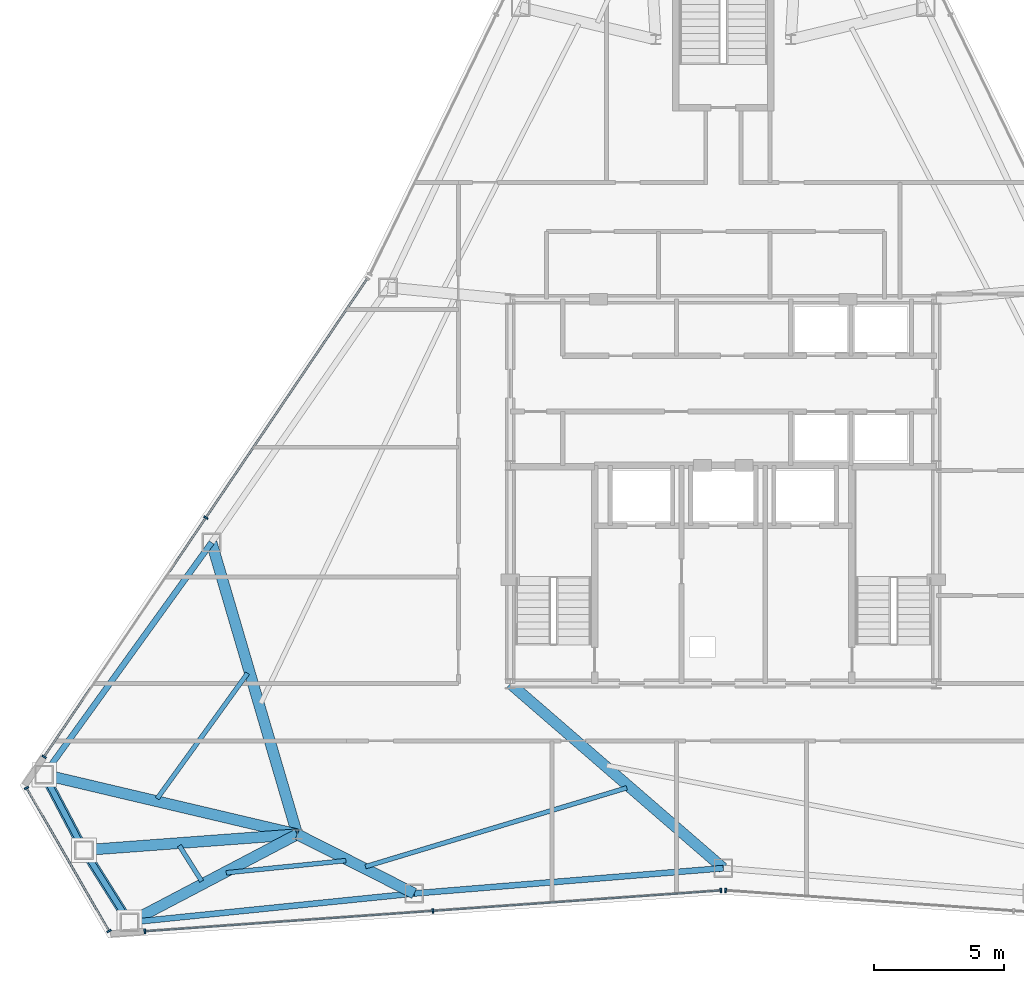
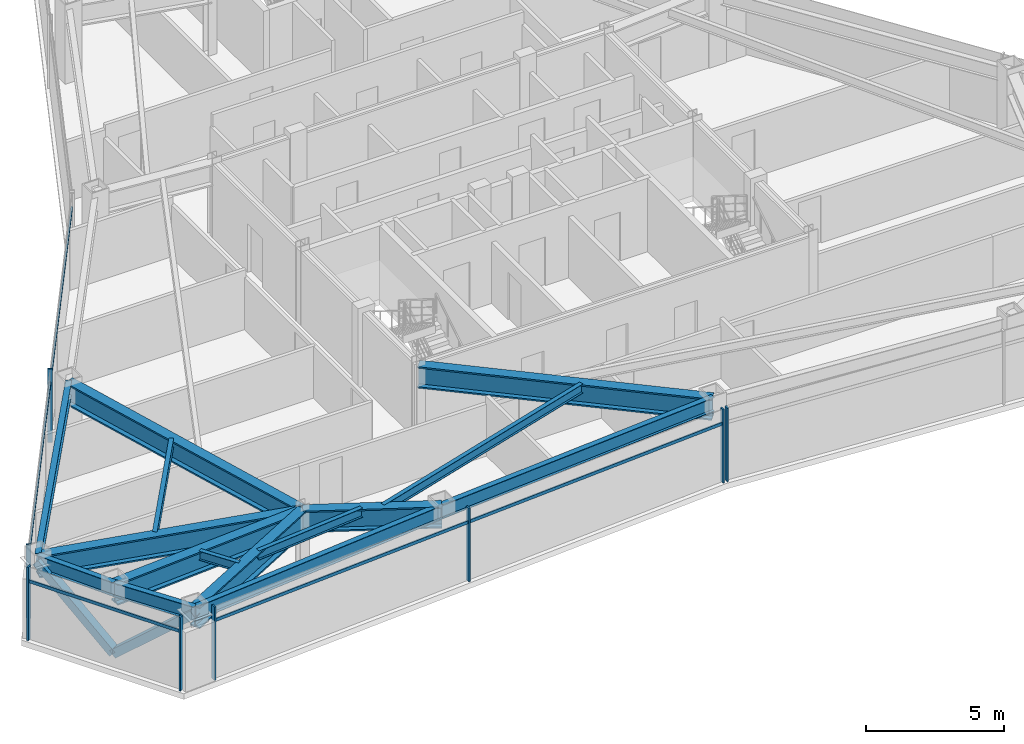
# One storey, part 3 of 12: 15 beams, 13 members, 4 elements without a shape of their own.
"""IFC4 building model written with IfcOpenShell, lengths in metres."""

from ifc_helpers import new_model, si_unit, direction, frame, origin, origin_2d, place, context, subcontext, project, spatial, rectangle, hollow_rectangle, i_section, extrude, source, transform, mapped, material, layer, layer_set, material_profile, profile_set, type_object, type_shapes, element, aggregate, save


model = new_model("IFC4")

# Units and contexts
model_context = context("Model", 3, precision=1e-05, world=origin(), true_north=direction((0.0, 1.0)))
body_context = subcontext(model_context, "Body", "Model", "MODEL_VIEW")
ifc_project = project(units=[si_unit("LENGTHUNIT", "METRE"), si_unit("AREAUNIT", "SQUARE_METRE"), si_unit("VOLUMEUNIT", "CUBIC_METRE"), si_unit("PLANEANGLEUNIT", "RADIAN"), si_unit("MASSUNIT", "GRAM", prefix="KILO")], contexts=[model_context])

# Site, building, storey
site_placement = place(None, origin())
site = spatial("IfcSite", under=ifc_project, at=site_placement, CompositionType="ELEMENT")
building_placement = place(site_placement, origin())
building = spatial("IfcBuilding", under=site, at=building_placement, Name="Varakhsha Concourse Tower", CompositionType="ELEMENT")
storey_placement = place(building_placement, frame((0.0, 0.0, 208.39990234375)))
storey = spatial("IfcBuildingStorey", under=building, at=storey_placement, Name="L59", CompositionType="ELEMENT", Elevation=208.39990234375)

# Beams
ifc_material_1 = material(Name="Structural Steel ASTM A992 Grade 50", Category="steel")
ifc_material_profile_1 = material_profile(ifc_material_1, i_section(OverallWidth=0.177978515625, OverallDepth=0.406982421875, WebThickness=0.008056640625, FlangeThickness=0.012939453125, at=origin_2d()), Name="W16X40")
ifc_profile_set_1 = profile_set([ifc_material_profile_1], Name="Structural Steel ASTM A992 Grade 50")
beam_type_1 = type_object("IfcBeamType", Name="BM-JST-W16X40", PredefinedType="JOIST", material=ifc_profile_set_1)
beam_1_placement = place(storey_placement, frame((21.6884765625, 16.8017578125, 3.046630859375), z_axis=(-0.584927141354, -0.811085839666, 0.0), x_axis=(0.811085839666, -0.584927141354, 0.0)))
element("IfcBeam", 1, at=beam_1_placement, inside=storey, type_object=beam_type_1, Name="BM-TJST-L59-06", PredefinedType="JOIST", context=body_context, shape_type="SweptSolid", body=[
    extrude(i_section(OverallWidth=0.177978515625, OverallDepth=0.406982421875, WebThickness=0.008056640625, FlangeThickness=0.012939453125, at=origin_2d()), origin(), (0.0, 0.0, 1.0), 5.9501953125),
])
beam_2_placement = place(storey_placement, frame((19.060791015625, 10.166015625, 3.046630859375), z_axis=(0.532597407227, -0.84636871505, 0.0), x_axis=(0.84636871505, 0.532597407227, 0.0)))
element("IfcBeam", 2, at=beam_2_placement, inside=storey, type_object=beam_type_1, Name="BM-TJST-L59-08", PredefinedType="JOIST", context=body_context, shape_type="SweptSolid", body=[
    extrude(i_section(OverallWidth=0.177978515625, OverallDepth=0.406982421875, WebThickness=0.008056640625, FlangeThickness=0.012939453125, at=origin_2d()), origin(), (0.0, 0.0, 1.0), 1.619873046875),
])
beam_3_placement = place(storey_placement, frame((20.866943359375, 9.11962890625, 3.046630859375), z_axis=(0.994878732251, 0.101075754334, 0.0), x_axis=(-0.101075754334, 0.994878732251, 0.0)))
element("IfcBeam", 3, at=beam_3_placement, inside=storey, type_object=beam_type_1, Name="BM-TJST-L59-09", PredefinedType="JOIST", context=body_context, shape_type="SweptSolid", body=[
    extrude(i_section(OverallWidth=0.177978515625, OverallDepth=0.406982421875, WebThickness=0.008056640625, FlangeThickness=0.012939453125, at=origin_2d()), origin(), (0.0, 0.0, 1.0), 4.6279296875),
])
beam_4_placement = place(storey_placement, frame((26.226318359375, 9.35693359375, 3.046630859375), z_axis=(0.9574166911, 0.288709680482, 0.0), x_axis=(-0.288709680482, 0.9574166911, 0.0)))
element("IfcBeam", 4, at=beam_4_placement, inside=storey, type_object=beam_type_1, Name="BM-TJST-L59-10", PredefinedType="JOIST", context=body_context, shape_type="SweptSolid", body=[
    extrude(i_section(OverallWidth=0.177978515625, OverallDepth=0.406982421875, WebThickness=0.008056640625, FlangeThickness=0.012939453125, at=origin_2d()), origin(), (0.0, 0.0, 1.0), 10.5078125),
])
ifc_material_profile_2 = material_profile(ifc_material_1, i_section(OverallWidth=0.423095703125, OverallDepth=0.947998046875, WebThickness=0.0380859375, FlangeThickness=0.06396484375, at=origin_2d()), Name="W36X302")
ifc_profile_set_2 = profile_set([ifc_material_profile_2], Name="Structural Steel ASTM A992 Grade 50")
beam_type_2 = type_object("IfcBeamType", Name="BM-OUTR-W36X302", PredefinedType="USERDEFINED", material=ifc_profile_set_2)
beam_5_placement = place(storey_placement, frame((23.60009765625, 10.60009765625, 2.776123046875), z_axis=(-0.281739548175, 0.959490920746, 0.0), x_axis=(-0.959490920746, -0.281739548175, 0.0)))
element("IfcBeam", 5, at=beam_5_placement, inside=storey, type_object=beam_type_2, Name="L59 Radial Floor Girder 06", ObjectType="GIRDER", PredefinedType="USERDEFINED", context=body_context, shape_type="SweptSolid", body=[
    extrude(i_section(OverallWidth=0.423095703125, OverallDepth=0.947998046875, WebThickness=0.0380859375, FlangeThickness=0.06396484375, at=origin_2d()), origin(), (0.0, 0.0, 1.0), 11.7080078125),
])
beam_6_placement = place(storey_placement, frame((23.60009765625, 10.60009765625, 2.776123046875), z_axis=(-0.973318249516, 0.229459332257, 0.0), x_axis=(-0.229459332257, -0.973318249516, 0.0)))
element("IfcBeam", 6, at=beam_6_placement, inside=storey, type_object=beam_type_2, Name="L59 Radial Floor Girder 07", ObjectType="GIRDER", PredefinedType="USERDEFINED", context=body_context, shape_type="SweptSolid", body=[
    extrude(i_section(OverallWidth=0.423095703125, OverallDepth=0.947998046875, WebThickness=0.0380859375, FlangeThickness=0.06396484375, at=origin_2d()), origin(), (0.0, 0.0, 1.0), 10.010986328125),
])
beam_7_placement = place(storey_placement, frame((23.60009765625, 10.60009765625, 2.776123046875), z_axis=(-0.997261601939, -0.073954697607, 0.0), x_axis=(0.073954697607, -0.997261601939, 0.0)))
element("IfcBeam", 7, at=beam_7_placement, inside=storey, type_object=beam_type_2, Name="L59 Radial Floor Girder 08", ObjectType="GIRDER", PredefinedType="USERDEFINED", context=body_context, shape_type="SweptSolid", body=[
    extrude(i_section(OverallWidth=0.423095703125, OverallDepth=0.947998046875, WebThickness=0.0380859375, FlangeThickness=0.06396484375, at=origin_2d()), origin(), (0.0, 0.0, 1.0), 8.233154296875),
])
beam_8_placement = place(storey_placement, frame((23.60009765625, 10.60009765625, 2.776123046875), z_axis=(-0.885501860742, -0.464635830111, 0.0), x_axis=(0.464635830111, -0.885501860742, 0.0)))
element("IfcBeam", 8, at=beam_8_placement, inside=storey, type_object=beam_type_2, Name="L59 Radial Floor Girder 09", ObjectType="GIRDER", PredefinedType="USERDEFINED", context=body_context, shape_type="SweptSolid", body=[
    extrude(i_section(OverallWidth=0.423095703125, OverallDepth=0.947998046875, WebThickness=0.0380859375, FlangeThickness=0.06396484375, at=origin_2d()), origin(), (0.0, 0.0, 1.0), 7.2958984375),
])
beam_9_placement = place(storey_placement, frame((23.60009765625, 10.60009765625, 2.776123046875), z_axis=(0.892365691824, -0.451313053274, 0.0), x_axis=(0.451313053274, 0.892365691824, 0.0)))
element("IfcBeam", 9, at=beam_9_placement, inside=storey, type_object=beam_type_2, Name="L59 Radial Floor Girder 10", ObjectType="GIRDER", PredefinedType="USERDEFINED", context=body_context, shape_type="SweptSolid", body=[
    extrude(i_section(OverallWidth=0.423095703125, OverallDepth=0.947998046875, WebThickness=0.0380859375, FlangeThickness=0.06396484375, at=origin_2d()), origin(), (0.0, 0.0, 1.0), 5.04443359375),
])
beam_10_placement = place(storey_placement, frame((31.800048828125, 16.39990234375, 2.776123046875), z_axis=(0.755864295136, -0.654728315669, 0.0), x_axis=(0.654728315669, 0.755864295136, 0.0)))
element("IfcBeam", 10, at=beam_10_placement, inside=storey, type_object=beam_type_2, Name="L59 Radial Floor Girder 11", ObjectType="GIRDER", PredefinedType="USERDEFINED", context=body_context, shape_type="SweptSolid", body=[
    extrude(i_section(OverallWidth=0.423095703125, OverallDepth=0.947998046875, WebThickness=0.0380859375, FlangeThickness=0.06396484375, at=origin_2d()), origin(), (0.0, 0.0, 1.0), 10.848388671875),
])
ifc_material_profile_3 = material_profile(ifc_material_1, i_section(OverallWidth=0.22900390625, OverallDepth=0.612060546875, WebThickness=0.011962890625, FlangeThickness=0.02001953125, at=origin_2d()), Name="W24X84")
ifc_profile_set_3 = profile_set([ifc_material_profile_3], Name="Structural Steel ASTM A992 Grade 50")
beam_type_3 = type_object("IfcBeamType", Name="BM-SPAN-W24X84", PredefinedType="SPANDREL", material=ifc_profile_set_3)
beam_11_placement = place(storey_placement, frame((20.301513671875, 21.833740234375, 2.944091796875), z_axis=(-0.584962960084, -0.811060007231, 0.0), x_axis=(0.811060007231, -0.584962960084, 0.0)))
element("IfcBeam", 11, at=beam_11_placement, inside=storey, type_object=beam_type_3, Name="BM-SPAN-L59-06", PredefinedType="SPANDREL", context=body_context, shape_type="SweptSolid", body=[
    extrude(i_section(OverallWidth=0.22900390625, OverallDepth=0.612060546875, WebThickness=0.011962890625, FlangeThickness=0.02001953125, at=origin_2d()), origin(), (0.0, 0.0, 1.0), 11.018310546875),
])
beam_12_placement = place(storey_placement, frame((13.856201171875, 12.897216796875, 2.944091796875), z_axis=(0.466634310193, -0.884450349398, 0.0), x_axis=(0.884450349398, 0.466634310193, 0.0)))
element("IfcBeam", 12, at=beam_12_placement, inside=storey, type_object=beam_type_3, Name="BM-SPAN-L59-07", PredefinedType="SPANDREL", context=body_context, shape_type="SweptSolid", body=[
    extrude(i_section(OverallWidth=0.22900390625, OverallDepth=0.612060546875, WebThickness=0.011962890625, FlangeThickness=0.02001953125, at=origin_2d()), origin(), (0.0, 0.0, 1.0), 3.28564453125),
])
beam_13_placement = place(storey_placement, frame((15.389404296875, 9.9912109375, 2.944091796875), z_axis=(0.532647729471, -0.846337046506, 0.0), x_axis=(0.846337046506, 0.532647729471, 0.0)))
element("IfcBeam", 13, at=beam_13_placement, inside=storey, type_object=beam_type_3, Name="BM-SPAN-L59-08", PredefinedType="SPANDREL", context=body_context, shape_type="SweptSolid", body=[
    extrude(i_section(OverallWidth=0.22900390625, OverallDepth=0.612060546875, WebThickness=0.011962890625, FlangeThickness=0.02001953125, at=origin_2d()), origin(), (0.0, 0.0, 1.0), 3.285888671875),
])
beam_14_placement = place(storey_placement, frame((17.1396484375, 7.210205078125, 2.944091796875), z_axis=(0.994882436683, 0.101039285329, 0.0), x_axis=(-0.101039285329, 0.994882436683, 0.0)))
element("IfcBeam", 14, at=beam_14_placement, inside=storey, type_object=beam_type_3, Name="BM-SPAN-L59-09", PredefinedType="SPANDREL", context=body_context, shape_type="SweptSolid", body=[
    extrude(i_section(OverallWidth=0.22900390625, OverallDepth=0.612060546875, WebThickness=0.011962890625, FlangeThickness=0.02001953125, at=origin_2d()), origin(), (0.0, 0.0, 1.0), 11.018310546875),
])
beam_15_placement = place(storey_placement, frame((28.1015625, 8.323486328125, 2.944091796875), z_axis=(0.996668757849, 0.081556036735, 0.0), x_axis=(-0.081556036735, 0.996668757849, 0.0)))
element("IfcBeam", 15, at=beam_15_placement, inside=storey, type_object=beam_type_3, Name="BM-SPAN-L59-10", PredefinedType="SPANDREL", context=body_context, shape_type="SweptSolid", body=[
    extrude(i_section(OverallWidth=0.22900390625, OverallDepth=0.612060546875, WebThickness=0.011962890625, FlangeThickness=0.02001953125, at=origin_2d()), origin(), (0.0, 0.0, 1.0), 11.938232421875),
])

# Members
ifc_material_2 = material(Name="Structural Steel ASTM A500 Grade C", Category="steel")
ifc_material_profile_4 = material_profile(ifc_material_2, hollow_rectangle(XDim=0.35009765625, YDim=0.35009765625, WallThickness=0.01611328125, at=origin_2d()), Name="HSS 350x350x16")
ifc_profile_set_4 = profile_set([ifc_material_profile_4], Name="Structural Steel ASTM A500 Grade C")
member_type_1 = type_object("IfcMemberType", Name="MB-TUBE-HSS350", PredefinedType="BRACE", material=ifc_profile_set_4)
shared_shape_1 = source(origin(), body_context, "Body", "SweptSolid", [
    extrude(hollow_rectangle(XDim=0.35009765625, YDim=0.35009765625, WallThickness=0.01611328125, at=origin_2d()), origin(), (0.0, 0.0, 1.0), 4.33642578125),
])
member_1_placement = place(storey_placement, frame((15.389404296875, 9.9912109375, 0.1201171875), z_axis=(-0.353560633732, 0.670132519637, 0.652623386342), x_axis=(-0.884450349398, -0.466634310193, 0.0)))
element("IfcMember", 16, at=member_1_placement, inside=storey, type_object=member_type_1, Name="L59 Wind-Corner Tube Brace B03", PredefinedType="BRACE", context=body_context, shape_type="MappedRepresentation", body=[
    mapped(shared_shape_1, transform((0.0, 0.0, 0.0), scale=1.0)),
])
shared_shape_2 = source(origin(), body_context, "Body", "SweptSolid", [
    extrude(hollow_rectangle(XDim=0.35009765625, YDim=0.35009765625, WallThickness=0.01611328125, at=origin_2d()), origin(), (0.0, 0.0, 1.0), 4.336669921875),
])
type_shapes(member_type_1, [shared_shape_1, shared_shape_2])
member_2_placement = place(storey_placement, frame((15.389404296875, 9.9912109375, 0.1201171875), z_axis=(0.403591903834, -0.641277078612, 0.652592739468), x_axis=(0.846337046506, 0.532647729471, 0.0)))
element("IfcMember", 17, at=member_2_placement, inside=storey, type_object=member_type_1, Name="L59 Wind-Corner Tube Brace B04", PredefinedType="BRACE", context=body_context, shape_type="MappedRepresentation", body=[
    mapped(shared_shape_2, transform((0.0, 0.0, 0.0), scale=1.0)),
])

# Curtain wall, members
ifc_material_3 = material(Name="Anodised Bronze Architectural Aluminium AA 6063-T6", Category="aluminium")
ifc_layer = layer(ifc_material_3, 0.199951171875, Name="CW-SYS-05")
ifc_layer_set = layer_set([ifc_layer], Name="Anodised Bronze Architectural Aluminium AA 6063-T6")
curtain_wall_type = type_object("IfcCurtainWallType", Name="CW-SYS-05", PredefinedType="NOTDEFINED", material=ifc_layer_set)
curtain_wall_1_placement = place(storey_placement, origin())
curtain_wall_1 = element("IfcCurtainWall", 18, at=curtain_wall_1_placement, inside=storey, type_object=curtain_wall_type, Name="L59 Crystal Curtain Wall F3", PredefinedType="NOTDEFINED")
ifc_material_profile_5 = material_profile(ifc_material_3, rectangle(XDim=0.06494140625, YDim=0.179931640625, at=origin_2d()), Name="CWM-180X65")
ifc_profile_set_5 = profile_set([ifc_material_profile_5], Name="Anodised Bronze Architectural Aluminium AA 6063-T6")
member_type_2 = type_object("IfcMemberType", Name="CWM-180X65", PredefinedType="MULLION", material=ifc_profile_set_5)
shared_shape_3 = source(origin(), body_context, "Body", "SweptSolid", [
    extrude(rectangle(XDim=0.06494140625, YDim=0.179931640625, at=origin_2d()), origin(), (0.0, 0.0, 1.0), 3.25),
])
type_shapes(member_type_2, [shared_shape_3])
member_3_placement = place(storey_placement, frame((13.855224609375, 13.58251953125, 0.0), z_axis=(0.0, 0.0, 1.0), x_axis=(0.559998586649, 0.828493562408, 0.0)))
member_3 = element("IfcMember", 19, at=member_3_placement, type_object=member_type_2, Name="CW-L59-F3 Mullion 00", PredefinedType="MULLION", context=body_context, shape_type="MappedRepresentation", body=[
    mapped(shared_shape_3, transform((0.0, 0.0, 0.0), scale=1.0)),
])
member_4_placement = place(storey_placement, frame((20.080078125, 22.7919921875, 0.0), z_axis=(0.0, 0.0, 1.0), x_axis=(0.559998586649, 0.828493562408, 0.0)))
member_4 = element("IfcMember", 20, at=member_4_placement, type_object=member_type_2, Name="CW-L59-F3 Mullion 01", PredefinedType="MULLION", context=body_context, shape_type="MappedRepresentation", body=[
    mapped(shared_shape_3, transform((0.0, 0.0, 0.0), scale=1.0)),
])

curtain_wall_2_placement = place(storey_placement, origin())
curtain_wall_2 = element("IfcCurtainWall", 21, at=curtain_wall_2_placement, inside=storey, type_object=curtain_wall_type, Name="L59 Chamfer Curtain Wall F4", PredefinedType="NOTDEFINED")
member_5_placement = place(storey_placement, frame((16.35595703125, 6.877197265625, 0.0), z_axis=(0.0, 0.0, 1.0), x_axis=(-0.49999395399, 0.866028894422, 0.0)))
member_5 = element("IfcMember", 22, at=member_5_placement, type_object=member_type_2, Name="CW-L59-F4 Mullion 00", PredefinedType="MULLION", context=body_context, shape_type="MappedRepresentation", body=[
    mapped(shared_shape_3, transform((0.0, 0.0, 0.0), scale=1.0)),
])
member_6_placement = place(storey_placement, frame((13.176025390625, 12.385009765625, 0.0), z_axis=(0.0, 0.0, 1.0), x_axis=(-0.49999395399, 0.866028894422, 0.0)))
member_6 = element("IfcMember", 23, at=member_6_placement, type_object=member_type_2, Name="CW-L59-F4 Mullion 01", PredefinedType="MULLION", context=body_context, shape_type="MappedRepresentation", body=[
    mapped(shared_shape_3, transform((0.0, 0.0, 0.0), scale=1.0)),
])

curtain_wall_3_placement = place(storey_placement, origin())
curtain_wall_3 = element("IfcCurtainWall", 24, at=curtain_wall_3_placement, inside=storey, type_object=curtain_wall_type, Name="L59 Crystal Curtain Wall F5", PredefinedType="NOTDEFINED")
member_7_placement = place(storey_placement, frame((39.908935546875, 8.43896484375, 0.0), z_axis=(0.0, 0.0, 1.0), x_axis=(-0.997496012116, -0.070722739, 0.0)))
member_7 = element("IfcMember", 25, at=member_7_placement, type_object=member_type_2, Name="CW-L59-F5 Mullion 00", PredefinedType="MULLION", context=body_context, shape_type="MappedRepresentation", body=[
    mapped(shared_shape_3, transform((0.0, 0.0, 0.0), scale=1.0)),
])
member_8_placement = place(storey_placement, frame((28.82080078125, 7.65283203125, 0.0), z_axis=(0.0, 0.0, 1.0), x_axis=(-0.997496012116, -0.070722739, 0.0)))
member_8 = element("IfcMember", 26, at=member_8_placement, type_object=member_type_2, Name="CW-L59-F5 Mullion 01", PredefinedType="MULLION", context=body_context, shape_type="MappedRepresentation", body=[
    mapped(shared_shape_3, transform((0.0, 0.0, 0.0), scale=1.0)),
])
member_9_placement = place(storey_placement, frame((17.732421875, 6.86669921875, 0.0), z_axis=(0.0, 0.0, 1.0), x_axis=(-0.997496012116, -0.070722739, 0.0)))
member_9 = element("IfcMember", 27, at=member_9_placement, type_object=member_type_2, Name="CW-L59-F5 Mullion 02", PredefinedType="MULLION", context=body_context, shape_type="MappedRepresentation", body=[
    mapped(shared_shape_3, transform((0.0, 0.0, 0.0), scale=1.0)),
])

# Curtain wall, member
curtain_wall_4_placement = place(storey_placement, origin())
curtain_wall_4 = element("IfcCurtainWall", 28, at=curtain_wall_4_placement, inside=storey, type_object=curtain_wall_type, Name="L59 Crystal Curtain Wall F6", PredefinedType="NOTDEFINED")
member_10_placement = place(storey_placement, frame((40.091064453125, 8.43896484375, 0.0), z_axis=(0.0, 0.0, 1.0), x_axis=(-0.997496012116, 0.070722739, 0.0)))
member_10 = element("IfcMember", 29, at=member_10_placement, type_object=member_type_2, Name="CW-L59-F6 Mullion 02", PredefinedType="MULLION", context=body_context, shape_type="MappedRepresentation", body=[
    mapped(shared_shape_3, transform((0.0, 0.0, 0.0), scale=1.0)),
])
aggregate(curtain_wall_4, [member_10])

# Member
ifc_material_profile_6 = material_profile(ifc_material_3, rectangle(XDim=0.06005859375, YDim=0.139892578125, at=origin_2d()), Name="CWT-140X60")
ifc_profile_set_6 = profile_set([ifc_material_profile_6], Name="Anodised Bronze Architectural Aluminium AA 6063-T6")
member_type_3 = type_object("IfcMemberType", Name="CWT-140X60", PredefinedType="USERDEFINED", material=ifc_profile_set_6)
shared_shape_4 = source(origin(), body_context, "Body", "SweptSolid", [
    extrude(rectangle(XDim=0.06005859375, YDim=0.139892578125, at=origin_2d()), origin(), (0.0, 0.0, 1.0), 22.232177734375),
])
member_11_placement = place(storey_placement, frame((13.855224609375, 13.58251953125, 2.60009765625), z_axis=(0.559998002966, 0.828493956933, 0.0), x_axis=(-0.828493956933, 0.559998002966, 0.0)))
member_11 = element("IfcMember", 30, at=member_11_placement, type_object=member_type_3, Name="CW-L59-F3 Transom 01", ObjectType="TRANSOM", PredefinedType="USERDEFINED", context=body_context, shape_type="MappedRepresentation", body=[
    mapped(shared_shape_4, transform((0.0, 0.0, 0.0), scale=1.0)),
])

aggregate(curtain_wall_1, [member_3, member_4, member_11])

member_12_placement = place(storey_placement, frame((39.908935546875, 8.43896484375, 2.60009765625), z_axis=(-0.997496187384, -0.070720266932, 0.0), x_axis=(0.070720266932, -0.997496187384, 0.0)))
member_12 = element("IfcMember", 31, at=member_12_placement, type_object=member_type_3, Name="CW-L59-F5 Transom 01", ObjectType="TRANSOM", PredefinedType="USERDEFINED", context=body_context, shape_type="MappedRepresentation", body=[
    mapped(shared_shape_4, transform((0.0, 0.0, 0.0), scale=1.0)),
])

aggregate(curtain_wall_3, [member_7, member_8, member_9, member_12])

shared_shape_5 = source(origin(), body_context, "Body", "SweptSolid", [
    extrude(rectangle(XDim=0.06005859375, YDim=0.139892578125, at=origin_2d()), origin(), (0.0, 0.0, 1.0), 6.35986328125),
])
type_shapes(member_type_3, [shared_shape_4, shared_shape_5])
member_13_placement = place(storey_placement, frame((16.35595703125, 6.877197265625, 2.60009765625), z_axis=(-0.499999364504, 0.866025770688, 0.0), x_axis=(-0.866025770688, -0.499999364504, 0.0)))
member_13 = element("IfcMember", 32, at=member_13_placement, type_object=member_type_3, Name="CW-L59-F4 Transom 01", ObjectType="TRANSOM", PredefinedType="USERDEFINED", context=body_context, shape_type="MappedRepresentation", body=[
    mapped(shared_shape_5, transform((0.0, 0.0, 0.0), scale=1.0)),
])

aggregate(curtain_wall_2, [member_5, member_6, member_13])

save(model, "model.ifc")
